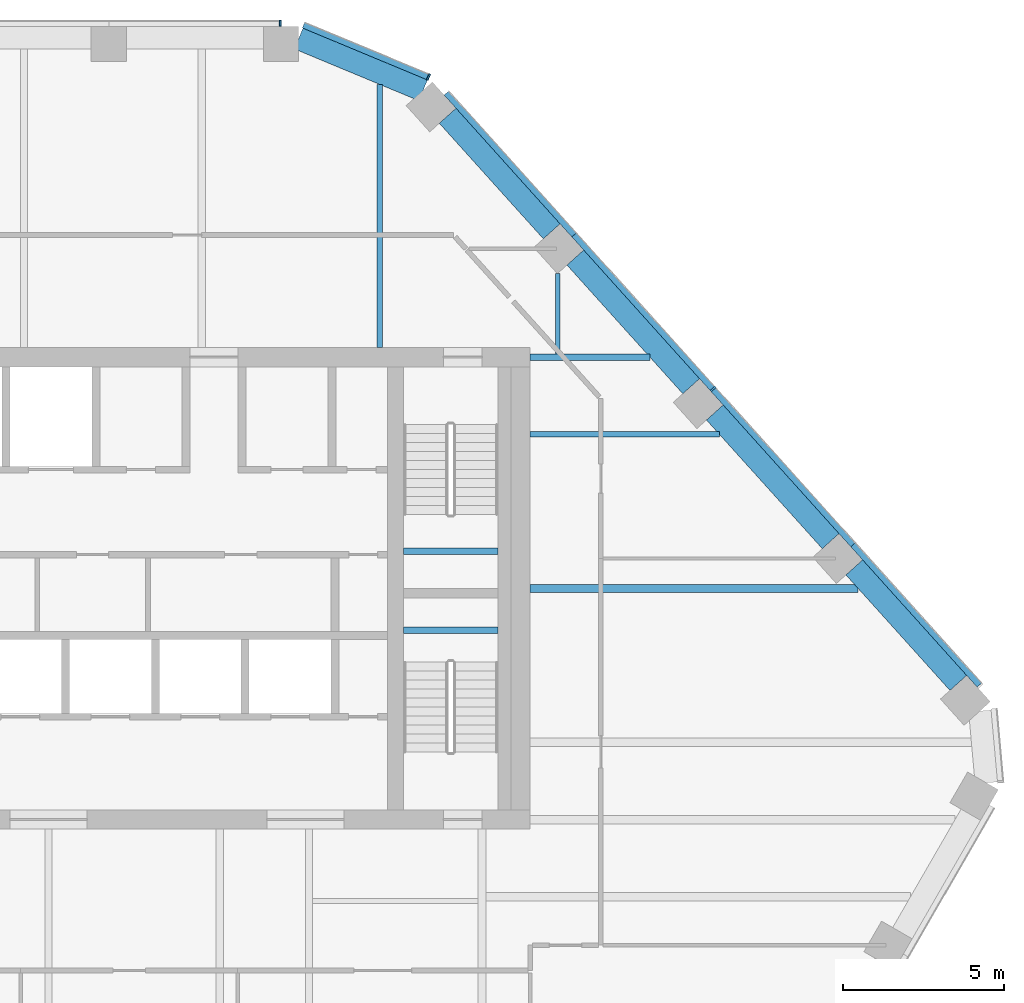
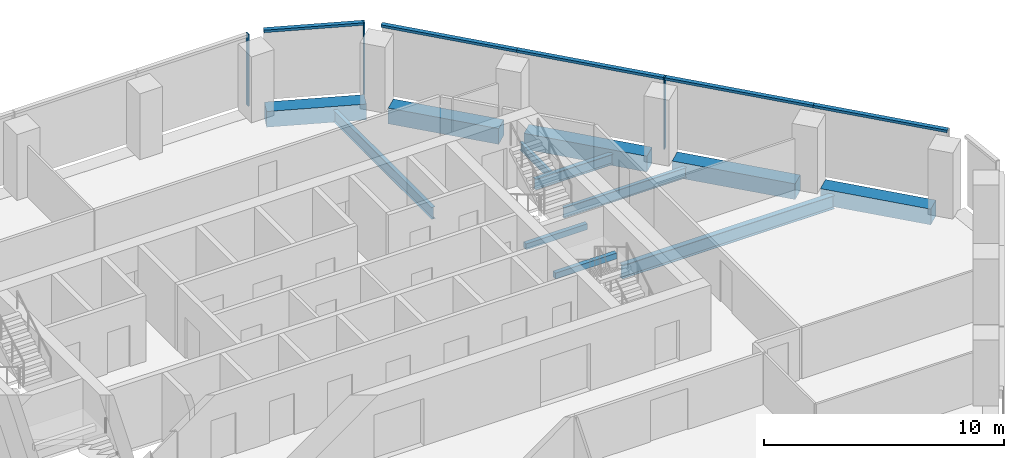
# One storey, part 7 of 16: 12 beams, 8 members, 3 elements without a shape of their own.
"""IFC4 building model written with IfcOpenShell, lengths in metres."""

from ifc_helpers import new_model, si_unit, direction, frame, origin, origin_2d, place, context, subcontext, project, spatial, rectangle, i_section, extrude, material, layer, layer_set, material_profile, profile_set, type_object, element, aggregate, save


model = new_model("IFC4")

# Units and contexts
model_context = context("Model", 3, precision=1e-05, world=origin(), true_north=direction((0.0, 1.0)))
body_context = subcontext(model_context, "Body", "Model", "MODEL_VIEW")
ifc_project = project(units=[si_unit("LENGTHUNIT", "METRE"), si_unit("AREAUNIT", "SQUARE_METRE"), si_unit("VOLUMEUNIT", "CUBIC_METRE"), si_unit("PLANEANGLEUNIT", "RADIAN"), si_unit("MASSUNIT", "GRAM", prefix="KILO")], contexts=[model_context])

# Site, building, storey
site_placement = place(None, origin())
site = spatial("IfcSite", under=ifc_project, at=site_placement, CompositionType="ELEMENT")
building_placement = place(site_placement, origin())
building = spatial("IfcBuilding", under=site, at=building_placement, Name="Isthmus Gate Tower", CompositionType="ELEMENT")
storey_placement = place(building_placement, frame((0.0, 0.0, 252.800048828125)))
storey = spatial("IfcBuildingStorey", under=building, at=storey_placement, Name="L64", CompositionType="ELEMENT", Elevation=252.800048828125)

# Curtain wall, member
ifc_material_1 = material(Name="Aluminium, pale champagne anodised", Category="aluminium")
ifc_layer = layer(ifc_material_1, 0.199951171875)
ifc_layer_set = layer_set([ifc_layer], Name="CW-1 UNITISED CURTAIN WALL 200 DEEP")
curtain_wall_type = type_object("IfcCurtainWallType", Name="CW-1 UNITISED CURTAIN WALL 200 DEEP", PredefinedType="NOTDEFINED", material=ifc_layer_set)
curtain_wall_1_placement = place(storey_placement, origin())
curtain_wall_1 = element("IfcCurtainWall", 1, at=curtain_wall_1_placement, inside=storey, type_object=curtain_wall_type, Name="CW-1 N L64", PredefinedType="NOTDEFINED")
ifc_material_2 = material(Name="Aluminium, pale champagne anodised", Category="aluminium")
ifc_material_profile_1 = material_profile(ifc_material_2, rectangle(XDim=0.06005859375, YDim=0.199951171875, at=origin_2d()), Name="60x200")
ifc_profile_set_1 = profile_set([ifc_material_profile_1], Name="Aluminium, pale champagne anodised")
member_type_1 = type_object("IfcMemberType", Name="CW-1 MULLION 60 X 200", PredefinedType="MULLION", material=ifc_profile_set_1)
member_1_placement = place(storey_placement, frame((7.211181640625, 25.10009765625, 0.0), z_axis=(0.0, 0.0, 1.0), x_axis=(-1.0, 0.0, 0.0)))
member_1 = element("IfcMember", 2, at=member_1_placement, type_object=member_type_1, Name="CW-1 mullion", PredefinedType="MULLION", context=body_context, shape_type="SweptSolid", body=[
    extrude(rectangle(XDim=0.06005859375, YDim=0.199951171875, at=origin_2d()), origin(), (0.0, 0.0, 1.0), 3.64990234375),
])
aggregate(curtain_wall_1, [member_1])

curtain_wall_2_placement = place(storey_placement, origin())
curtain_wall_2 = element("IfcCurtainWall", 3, at=curtain_wall_2_placement, inside=storey, type_object=curtain_wall_type, Name="CW-1 NE L64", PredefinedType="NOTDEFINED")
member_2_placement = place(storey_placement, frame((20.696533203125, 13.709228515625, 0.0), z_axis=(0.0, 0.0, 1.0), x_axis=(-0.669130606359, 0.743144825477, 0.0)))
member_2 = element("IfcMember", 4, at=member_2_placement, type_object=member_type_1, Name="CW-1 mullion", PredefinedType="MULLION", context=body_context, shape_type="SweptSolid", body=[
    extrude(rectangle(XDim=0.06005859375, YDim=0.199951171875, at=origin_2d()), origin(), (0.0, 0.0, 1.0), 3.64990234375),
])

curtain_wall_3_placement = place(storey_placement, origin())
curtain_wall_3 = element("IfcCurtainWall", 5, at=curtain_wall_3_placement, inside=storey, type_object=curtain_wall_type, Name="CW-1 NE-N L64", PredefinedType="NOTDEFINED")
member_3_placement = place(storey_placement, frame((11.83349609375, 23.427490234375, 0.0), z_axis=(0.0, 0.0, 1.0), x_axis=(-0.923353128387, 0.383951820282, 0.0)))
member_3 = element("IfcMember", 6, at=member_3_placement, type_object=member_type_1, Name="CW-1 mullion", PredefinedType="MULLION", context=body_context, shape_type="SweptSolid", body=[
    extrude(rectangle(XDim=0.06005859375, YDim=0.199951171875, at=origin_2d()), origin(), (0.0, 0.0, 1.0), 3.64990234375),
])

# Member
ifc_material_3 = material(Name="Aluminium, pale champagne anodised", Category="aluminium")
ifc_material_profile_2 = material_profile(ifc_material_3, rectangle(XDim=0.199951171875, YDim=0.1298828125, at=origin_2d()), Name="200x130")
ifc_profile_set_2 = profile_set([ifc_material_profile_2], Name="Aluminium, pale champagne anodised")
member_type_2 = type_object("IfcMemberType", Name="CW-1 TRANSOM 200 X 130", PredefinedType="USERDEFINED", material=ifc_profile_set_2)
member_4_placement = place(storey_placement, frame((28.99609375, 4.491455078125, 3.5849609375), z_axis=(-0.669134411332, 0.743141399447, 0.0), x_axis=(-0.743141399447, -0.669134411332, 0.0)))
member_4 = element("IfcMember", 7, at=member_4_placement, type_object=member_type_2, Name="CW-1 transom", ObjectType="TRANSOM", PredefinedType="USERDEFINED", context=body_context, shape_type="SweptSolid", body=[
    extrude(rectangle(XDim=0.199951171875, YDim=0.1298828125, at=origin_2d()), origin(), (0.0, 0.0, 1.0), 5.8818359375),
])

member_5_placement = place(storey_placement, frame((25.060302734375, 8.862548828125, 3.5849609375), z_axis=(-0.669112239491, 0.743161362668, 0.0), x_axis=(-0.743161362668, -0.669112239491, 0.0)))
member_5 = element("IfcMember", 8, at=member_5_placement, type_object=member_type_2, Name="CW-1 transom", ObjectType="TRANSOM", PredefinedType="USERDEFINED", context=body_context, shape_type="SweptSolid", body=[
    extrude(rectangle(XDim=0.199951171875, YDim=0.1298828125, at=origin_2d()), origin(), (0.0, 0.0, 1.0), 6.49169921875),
])

member_6_placement = place(storey_placement, frame((20.67626953125, 13.7314453125, 3.5849609375), z_axis=(-0.669128292476, 0.7431469089, 0.0), x_axis=(-0.7431469089, -0.669128292476, 0.0)))
member_6 = element("IfcMember", 9, at=member_6_placement, type_object=member_type_2, Name="CW-1 transom", ObjectType="TRANSOM", PredefinedType="USERDEFINED", context=body_context, shape_type="SweptSolid", body=[
    extrude(rectangle(XDim=0.199951171875, YDim=0.1298828125, at=origin_2d()), origin(), (0.0, 0.0, 1.0), 6.431884765625),
])

member_7_placement = place(storey_placement, frame((16.37255859375, 18.51123046875, 3.5849609375), z_axis=(-0.669116811031, 0.743157246615, 0.0), x_axis=(-0.743157246615, -0.669116811031, 0.0)))
member_7 = element("IfcMember", 10, at=member_7_placement, type_object=member_type_2, Name="CW-1 transom", ObjectType="TRANSOM", PredefinedType="USERDEFINED", context=body_context, shape_type="SweptSolid", body=[
    extrude(rectangle(XDim=0.199951171875, YDim=0.1298828125, at=origin_2d()), origin(), (0.0, 0.0, 1.0), 5.94189453125),
])

aggregate(curtain_wall_2, [member_4, member_5, member_2, member_6, member_7])

member_8_placement = place(storey_placement, frame((11.8056640625, 23.43896484375, 3.5849609375), z_axis=(-0.923358236369, 0.383939536033, 0.0), x_axis=(-0.383939536033, -0.923358236369, 0.0)))
member_8 = element("IfcMember", 11, at=member_8_placement, type_object=member_type_2, Name="CW-1 transom", ObjectType="TRANSOM", PredefinedType="USERDEFINED", context=body_context, shape_type="SweptSolid", body=[
    extrude(rectangle(XDim=0.199951171875, YDim=0.1298828125, at=origin_2d()), origin(), (0.0, 0.0, 1.0), 4.181640625),
])

aggregate(curtain_wall_3, [member_3, member_8])

# Beams
ifc_material_4 = material(Name="Concrete f'c 50 MPa", Category="concrete")
ifc_material_profile_3 = material_profile(ifc_material_4, rectangle(XDim=0.699951171875, YDim=0.800048828125, at=origin_2d()), Name="RC 700X800")
ifc_profile_set_3 = profile_set([ifc_material_profile_3], Name="Concrete f'c 50 MPa")
beam_type_1 = type_object("IfcBeamType", Name="RC SPANDREL 700 X 800", PredefinedType="SPANDREL", material=ifc_profile_set_3)
beam_1_placement = place(storey_placement, frame((7.791015625, 24.620849609375, -0.400146484375), z_axis=(0.923360646135, -0.383933740597, 0.0), x_axis=(0.383933740597, 0.923360646135, 0.0)))
element("IfcBeam", 12, at=beam_1_placement, inside=storey, type_object=beam_type_1, Name="str-spandrel-L64-00", PredefinedType="SPANDREL", context=body_context, shape_type="SweptSolid", body=[
    extrude(rectangle(XDim=0.699951171875, YDim=0.800048828125, at=origin_2d()), origin(), (0.0, 0.0, 1.0), 4.19677734375),
])
beam_2_placement = place(storey_placement, frame((12.43017578125, 22.21728515625, -0.400146484375), z_axis=(0.669129069044, -0.743146209679, 0.0), x_axis=(0.743146209679, 0.669129069044, 0.0)))
element("IfcBeam", 13, at=beam_2_placement, inside=storey, type_object=beam_type_1, Name="str-spandrel-L64-01", PredefinedType="SPANDREL", context=body_context, shape_type="SweptSolid", body=[
    extrude(rectangle(XDim=0.699951171875, YDim=0.800048828125, at=origin_2d()), origin(), (0.0, 0.0, 1.0), 4.842041015625),
])
beam_3_placement = place(storey_placement, frame((16.40625, 17.801513671875, -0.400146484375), z_axis=(0.669122314994, -0.743152290972, 0.0), x_axis=(0.743152290972, 0.669122314994, 0.0)))
element("IfcBeam", 14, at=beam_3_placement, inside=storey, type_object=beam_type_1, Name="str-spandrel-L64-02", PredefinedType="SPANDREL", context=body_context, shape_type="SweptSolid", body=[
    extrude(rectangle(XDim=0.699951171875, YDim=0.800048828125, at=origin_2d()), origin(), (0.0, 0.0, 1.0), 5.39208984375),
])
beam_4_placement = place(storey_placement, frame((20.75, 12.97705078125, -0.400146484375), z_axis=(0.669144830508, -0.743132017749, 0.0), x_axis=(0.743132017749, 0.669144830508, 0.0)))
element("IfcBeam", 15, at=beam_4_placement, inside=storey, type_object=beam_type_1, Name="str-spandrel-L64-03", PredefinedType="SPANDREL", context=body_context, shape_type="SweptSolid", body=[
    extrude(rectangle(XDim=0.699951171875, YDim=0.800048828125, at=origin_2d()), origin(), (0.0, 0.0, 1.0), 5.391845703125),
])
beam_5_placement = place(storey_placement, frame((25.093994140625, 8.152587890625, -0.400146484375), z_axis=(0.669154141686, -0.743123633499, 0.0), x_axis=(0.743123633499, 0.669154141686, 0.0)))
element("IfcBeam", 16, at=beam_5_placement, inside=storey, type_object=beam_type_1, Name="str-spandrel-L64-04", PredefinedType="SPANDREL", context=body_context, shape_type="SweptSolid", body=[
    extrude(rectangle(XDim=0.699951171875, YDim=0.800048828125, at=origin_2d()), origin(), (0.0, 0.0, 1.0), 4.842041015625),
])
ifc_material_5 = material(Name="Concrete f'c 40 MPa", Category="concrete")
ifc_material_profile_4 = material_profile(ifc_material_5, rectangle(XDim=0.199951171875, YDim=0.300048828125, at=origin_2d()), Name="STAIR LANDING BEAM RC 200 X 300")
ifc_profile_set_4 = profile_set([ifc_material_profile_4], Name="Concrete f'c 40 MPa")
beam_type_2 = type_object("IfcBeamType", Name="STAIR LANDING BEAM RC 200 X 300", PredefinedType="BEAM", material=ifc_profile_set_4)
for number, where, z_axis, x_axis, name in (
    (17, (11.050048828125, 8.64990234375, 1.474853515625), (1.0, 0.0, 0.0), (0.0, 1.0, 0.0), "L64 ST2 landing beam 1"),
    (18, (11.050048828125, 6.199951171875, 1.474853515625), (1.0, 0.0, 0.0), (0.0, 1.0, 0.0), "L64 ST8 landing beam 1"),
):
    element("IfcBeam", number, at=place(storey_placement, frame(where, z_axis=z_axis, x_axis=x_axis)), inside=storey, type_object=beam_type_2, Name=name, PredefinedType="BEAM", context=body_context, shape_type="SweptSolid", body=[
        extrude(rectangle(XDim=0.199951171875, YDim=0.300048828125, at=origin_2d()), origin(), (0.0, 0.0, 1.0), 2.949951171875),
    ])
ifc_material_6 = material(Name="Structural steel ASTM A992 Gr 50", Category="steel")
ifc_material_profile_5 = material_profile(ifc_material_6, i_section(OverallWidth=0.1396484375, OverallDepth=0.4033203125, WebThickness=0.00634765625, FlangeThickness=0.010986328125, at=origin_2d()), Name="W16X31")
ifc_profile_set_5 = profile_set([ifc_material_profile_5], Name="Structural steel ASTM A992 Gr 50")
beam_type_3 = type_object("IfcBeamType", Name="STEEL FLOOR BEAM W16X31", PredefinedType="JOIST", material=ifc_profile_set_5)
beam_6_placement = place(storey_placement, frame((15.862060546875, 14.8046875, -0.3515625), z_axis=(0.0, 1.0, 0.0), x_axis=(-1.0, 0.0, 0.0)))
element("IfcBeam", 19, at=beam_6_placement, inside=storey, type_object=beam_type_3, Name="str-beam-L64-05-06", PredefinedType="JOIST", context=body_context, shape_type="SweptSolid", body=[
    extrude(i_section(OverallWidth=0.1396484375, OverallDepth=0.4033203125, WebThickness=0.00634765625, FlangeThickness=0.010986328125, at=origin_2d()), origin(), (0.0, 0.0, 1.0), 2.5068359375),
])
ifc_material_7 = material(Name="Structural steel ASTM A992 Gr 50", Category="steel")
ifc_material_profile_6 = material_profile(ifc_material_7, i_section(OverallWidth=0.1650390625, OverallDepth=0.52392578125, WebThickness=0.009521484375, FlangeThickness=0.010986328125, at=origin_2d()), Name="W21X44")
ifc_profile_set_6 = profile_set([ifc_material_profile_6], Name="Structural steel ASTM A992 Gr 50")
beam_type_4 = type_object("IfcBeamType", Name="STEEL FLOOR BEAM W21X44", PredefinedType="JOIST", material=ifc_profile_set_6)
beam_7_placement = place(storey_placement, frame((15.0, 12.300048828125, -0.412109375), z_axis=(1.0, 0.0, 0.0), x_axis=(0.0, 1.0, 0.0)))
element("IfcBeam", 20, at=beam_7_placement, inside=storey, type_object=beam_type_4, Name="str-beam-L64-13-02", PredefinedType="JOIST", context=body_context, shape_type="SweptSolid", body=[
    extrude(i_section(OverallWidth=0.1650390625, OverallDepth=0.52392578125, WebThickness=0.009521484375, FlangeThickness=0.010986328125, at=origin_2d()), origin(), (0.0, 0.0, 1.0), 5.888671875),
])
ifc_material_8 = material(Name="Structural steel ASTM A992 Gr 50", Category="steel")
ifc_material_profile_7 = material_profile(ifc_material_8, i_section(OverallWidth=0.177734375, OverallDepth=0.60009765625, WebThickness=0.009521484375, FlangeThickness=0.0126953125, at=origin_2d()), Name="W24X55")
ifc_profile_set_7 = profile_set([ifc_material_profile_7], Name="Structural steel ASTM A992 Gr 50")
beam_type_5 = type_object("IfcBeamType", Name="STEEL FLOOR BEAM W24X55", PredefinedType="JOIST", material=ifc_profile_set_7)
beam_8_placement = place(storey_placement, frame((10.3193359375, 15.0, -0.4501953125), z_axis=(0.0, 1.0, 0.0), x_axis=(-1.0, 0.0, 0.0)))
element("IfcBeam", 21, at=beam_8_placement, inside=storey, type_object=beam_type_5, Name="str-beam-L64-05-05", PredefinedType="JOIST", context=body_context, shape_type="SweptSolid", body=[
    extrude(i_section(OverallWidth=0.177734375, OverallDepth=0.60009765625, WebThickness=0.009521484375, FlangeThickness=0.0126953125, at=origin_2d()), origin(), (0.0, 0.0, 1.0), 8.190673828125),
])
ifc_material_9 = material(Name="Structural steel ASTM A992 Gr 50", Category="steel")
ifc_material_profile_8 = material_profile(ifc_material_9, i_section(OverallWidth=0.25390625, OverallDepth=0.679443359375, WebThickness=0.010986328125, FlangeThickness=0.015869140625, at=origin_2d()), Name="W27X84")
ifc_profile_set_8 = profile_set([ifc_material_profile_8], Name="Structural steel ASTM A992 Gr 50")
beam_type_6 = type_object("IfcBeamType", Name="STEEL FLOOR BEAM W27X84", PredefinedType="JOIST", material=ifc_profile_set_8)
beam_9_placement = place(storey_placement, frame((15.0, 7.5, -0.48974609375), z_axis=(1.0, 0.0, 0.0), x_axis=(0.0, 1.0, 0.0)))
element("IfcBeam", 22, at=beam_9_placement, inside=storey, type_object=beam_type_6, Name="str-beam-L64-13-01", PredefinedType="JOIST", context=body_context, shape_type="SweptSolid", body=[
    extrude(i_section(OverallWidth=0.25390625, OverallDepth=0.679443359375, WebThickness=0.010986328125, FlangeThickness=0.015869140625, at=origin_2d()), origin(), (0.0, 0.0, 1.0), 10.210693359375),
])
ifc_material_10 = material(Name="Structural steel ASTM A992 Gr 50", Category="steel")
ifc_material_profile_9 = material_profile(ifc_material_10, i_section(OverallWidth=0.20947265625, OverallDepth=0.533447265625, WebThickness=0.009521484375, FlangeThickness=0.015869140625, at=origin_2d()), Name="W21X62")
ifc_profile_set_9 = profile_set([ifc_material_profile_9], Name="Structural steel ASTM A992 Gr 50")
beam_type_7 = type_object("IfcBeamType", Name="STEEL GIRDER W21X62", PredefinedType="BEAM", material=ifc_profile_set_9)
beam_10_placement = place(storey_placement, frame((15.0, 14.699951171875, -0.416748046875), z_axis=(1.0, 0.0, 0.0), x_axis=(0.0, 1.0, 0.0)))
element("IfcBeam", 23, at=beam_10_placement, inside=storey, type_object=beam_type_7, Name="str-girder-L64-12", PredefinedType="BEAM", context=body_context, shape_type="SweptSolid", body=[
    extrude(i_section(OverallWidth=0.20947265625, OverallDepth=0.533447265625, WebThickness=0.009521484375, FlangeThickness=0.015869140625, at=origin_2d()), origin(), (0.0, 0.0, 1.0), 3.727783203125),
])

save(model, "model.ifc")
